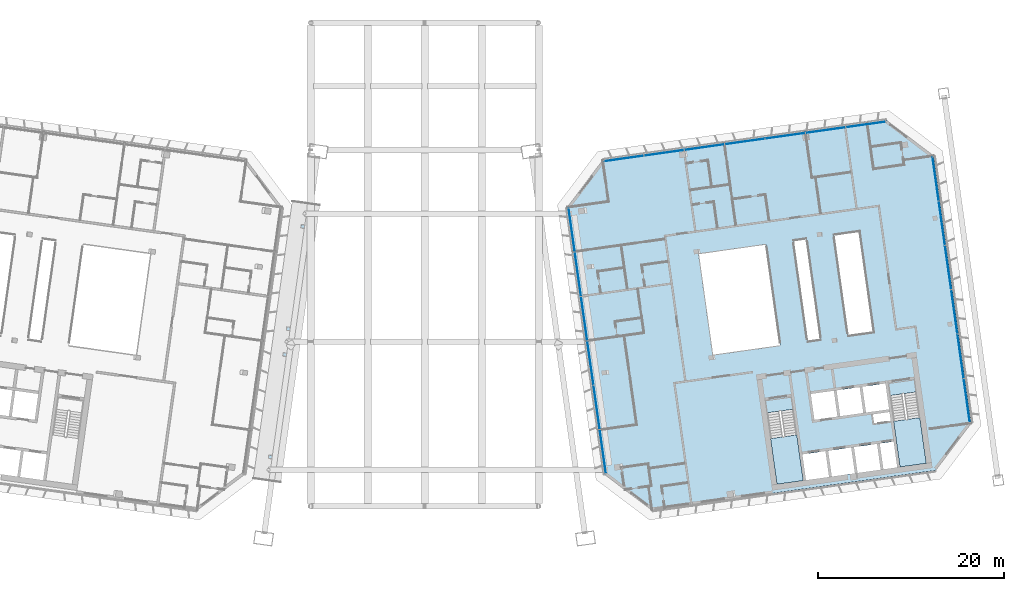
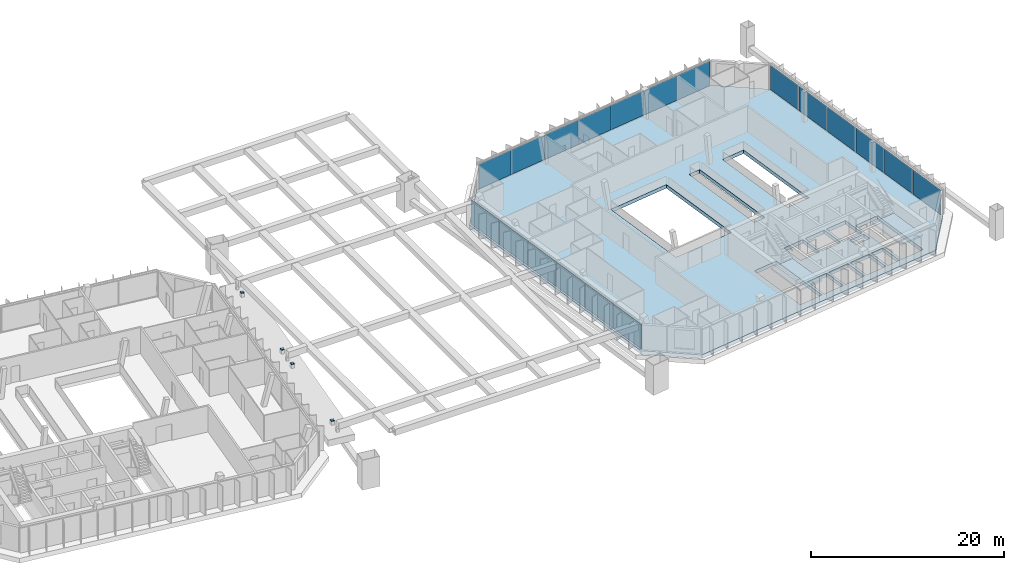
# One storey, part 20 of 36: 23 plates, 3 slabs, 5 elements without a shape of their own.
"""IFC4 building model written with IfcOpenShell, lengths in metres."""

from ifc_helpers import new_model, si_unit, direction, frame, origin, origin_2d, place, context, subcontext, project, spatial, polyline, rectangle, outline, extrude, material, layer, layer_set, type_object, element, aggregate, save


model = new_model("IFC4")

# Units and contexts
model_context = context("Model", 3, precision=1e-05, world=origin(), true_north=direction((0.0, 1.0)))
body_context = subcontext(model_context, "Body", "Model", "MODEL_VIEW")
ifc_project = project(units=[si_unit("LENGTHUNIT", "METRE"), si_unit("AREAUNIT", "SQUARE_METRE"), si_unit("VOLUMEUNIT", "CUBIC_METRE"), si_unit("PLANEANGLEUNIT", "RADIAN"), si_unit("MASSUNIT", "GRAM", prefix="KILO")], contexts=[model_context])

# Site, building, storey
site_placement = place(None, origin())
site = spatial("IfcSite", under=ifc_project, at=site_placement, CompositionType="ELEMENT")
building_placement = place(site_placement, origin())
building = spatial("IfcBuilding", under=site, at=building_placement, Name="Mirante Cascada Hotel Towers", CompositionType="ELEMENT")
storey_placement = place(building_placement, frame((0.0, 0.0, 254.6)))
storey = spatial("IfcBuildingStorey", under=building, at=storey_placement, Name="L61", CompositionType="ELEMENT", Elevation=254.6)

# Curtain wall, plates
ifc_material_1 = material(Name="Aluminium mullion and transom frame with clear laminated glass", Category="aluminium")
curtain_wall_type_1 = type_object("IfcCurtainWallType", Name="Ribbon curtain wall ECW1", PredefinedType="NOTDEFINED", material=ifc_material_1)
curtain_wall_1_placement = place(storey_placement, origin())
curtain_wall_1 = element("IfcCurtainWall", 1, at=curtain_wall_1_placement, inside=storey, type_object=curtain_wall_type_1, Name="Front ribbon wall T2 L61", PredefinedType="NOTDEFINED")
ifc_material_2 = material(Name="Clear laminated glass", Category="glass")
ifc_layer_1 = layer(ifc_material_2, 0.036)
ifc_layer_set_1 = layer_set([ifc_layer_1], Name="ECW1 glass panel 36")
plate_type_1 = type_object("IfcPlateType", Name="ECW1 glass panel 36", PredefinedType="CURTAIN_PANEL", material=ifc_layer_set_1)
plate_1_placement = place(storey_placement, frame((47.4111, 19.4822, 0.1), z_axis=(0.0, 0.0, 1.0), x_axis=(-0.9902681, -0.1391731, 0.0)))
plate_1 = element("IfcPlate", 2, at=plate_1_placement, type_object=plate_type_1, Name="ECW1 panel 1", PredefinedType="CURTAIN_PANEL", context=body_context, shape_type="SweptSolid", body=[
    extrude(rectangle(XDim=4.283, YDim=0.036, at=origin_2d()), origin(), (0.0, 0.0, 1.0), 3.1),
])
plate_2_placement = place(storey_placement, frame((43.0893, 18.8748, 0.1), z_axis=(0.0, 0.0, 1.0), x_axis=(-0.9902681, -0.1391731, 0.0)))
plate_2 = element("IfcPlate", 3, at=plate_2_placement, type_object=plate_type_1, Name="ECW1 panel 2", PredefinedType="CURTAIN_PANEL", context=body_context, shape_type="SweptSolid", body=[
    extrude(rectangle(XDim=4.3155, YDim=0.036, at=origin_2d()), origin(), (0.0, 0.0, 1.0), 3.1),
])
plate_3_placement = place(storey_placement, frame((38.7514, 18.2652, 0.1), z_axis=(0.0, 0.0, 1.0), x_axis=(-0.9902681, -0.1391731, 0.0)))
plate_3 = element("IfcPlate", 4, at=plate_3_placement, type_object=plate_type_1, Name="ECW1 panel 3", PredefinedType="CURTAIN_PANEL", context=body_context, shape_type="SweptSolid", body=[
    extrude(rectangle(XDim=4.3155, YDim=0.036, at=origin_2d()), origin(), (0.0, 0.0, 1.0), 3.1),
])
plate_4_placement = place(storey_placement, frame((34.4135, 17.6555, 0.1), z_axis=(0.0, 0.0, 1.0), x_axis=(-0.9902681, -0.1391731, 0.0)))
plate_4 = element("IfcPlate", 5, at=plate_4_placement, type_object=plate_type_1, Name="ECW1 panel 4", PredefinedType="CURTAIN_PANEL", context=body_context, shape_type="SweptSolid", body=[
    extrude(rectangle(XDim=4.3155, YDim=0.036, at=origin_2d()), origin(), (0.0, 0.0, 1.0), 3.1),
])
plate_5_placement = place(storey_placement, frame((30.0756, 17.0459, 0.1), z_axis=(0.0, 0.0, 1.0), x_axis=(-0.9902681, -0.1391731, 0.0)))
plate_5 = element("IfcPlate", 6, at=plate_5_placement, type_object=plate_type_1, Name="ECW1 panel 5", PredefinedType="CURTAIN_PANEL", context=body_context, shape_type="SweptSolid", body=[
    extrude(rectangle(XDim=4.3155, YDim=0.036, at=origin_2d()), origin(), (0.0, 0.0, 1.0), 3.1),
])
plate_6_placement = place(storey_placement, frame((25.7377, 16.4362, 0.1), z_axis=(0.0, 0.0, 1.0), x_axis=(-0.9902681, -0.1391731, 0.0)))
plate_6 = element("IfcPlate", 7, at=plate_6_placement, type_object=plate_type_1, Name="ECW1 panel 6", PredefinedType="CURTAIN_PANEL", context=body_context, shape_type="SweptSolid", body=[
    extrude(rectangle(XDim=4.3155, YDim=0.036, at=origin_2d()), origin(), (0.0, 0.0, 1.0), 3.1),
])
plate_7_placement = place(storey_placement, frame((21.416, 15.8288, 0.1), z_axis=(0.0, 0.0, 1.0), x_axis=(-0.9902681, -0.1391731, 0.0)))
plate_7 = element("IfcPlate", 8, at=plate_7_placement, type_object=plate_type_1, Name="ECW1 panel 7", PredefinedType="CURTAIN_PANEL", context=body_context, shape_type="SweptSolid", body=[
    extrude(rectangle(XDim=4.283, YDim=0.036, at=origin_2d()), origin(), (0.0, 0.0, 1.0), 3.1),
])
aggregate(curtain_wall_1, [plate_1, plate_2, plate_3, plate_4, plate_5, plate_6, plate_7])

ifc_material_3 = material(Name="Aluminium mullion and transom frame with clear laminated glass", Category="aluminium")
curtain_wall_type_2 = type_object("IfcCurtainWallType", Name="End ribbon curtain wall ECW2", PredefinedType="NOTDEFINED", material=ifc_material_3)
curtain_wall_2_placement = place(storey_placement, origin())
curtain_wall_2 = element("IfcCurtainWall", 9, at=curtain_wall_2_placement, inside=storey, type_object=curtain_wall_type_2, Name="Inner end wall T2 L61", PredefinedType="NOTDEFINED")
ifc_material_4 = material(Name="Clear laminated glass", Category="glass")
ifc_layer_2 = layer(ifc_material_4, 0.034)
ifc_layer_set_2 = layer_set([ifc_layer_2], Name="ECW2 glass panel 34")
plate_type_2 = type_object("IfcPlateType", Name="ECW2 glass panel 34", PredefinedType="CURTAIN_PANEL", material=ifc_layer_set_2)
plate_8_placement = place(storey_placement, frame((16.4805, 3.3898, 0.1), z_axis=(0.0, 0.0, 1.0), x_axis=(0.1391731, -0.9902681, 0.0)))
plate_8 = element("IfcPlate", 10, at=plate_8_placement, type_object=plate_type_2, Name="ECW2 panel 2", PredefinedType="CURTAIN_PANEL", context=body_context, shape_type="SweptSolid", body=[
    extrude(rectangle(XDim=4.7476, YDim=0.034, at=origin_2d()), origin(), (0.0, 0.0, 1.0), 3.1),
])
plate_9_placement = place(storey_placement, frame((18.4898, -10.9075, 0.1), z_axis=(0.0, 0.0, 1.0), x_axis=(0.1391731, -0.9902681, 0.0)))
plate_9 = element("IfcPlate", 11, at=plate_9_placement, type_object=plate_type_2, Name="ECW2 panel 5", PredefinedType="CURTAIN_PANEL", context=body_context, shape_type="SweptSolid", body=[
    extrude(rectangle(XDim=4.7476, YDim=0.034, at=origin_2d()), origin(), (0.0, 0.0, 1.0), 3.1),
])

curtain_wall_3_placement = place(storey_placement, origin())
curtain_wall_3 = element("IfcCurtainWall", 12, at=curtain_wall_3_placement, inside=storey, type_object=curtain_wall_type_2, Name="Outer end wall T2 L61", PredefinedType="NOTDEFINED")
plate_10_placement = place(storey_placement, frame((58.2609, -10.1616, 0.1), z_axis=(0.0, 0.0, 1.0), x_axis=(-0.1391731, 0.9902681, 0.0)))
plate_10 = element("IfcPlate", 13, at=plate_10_placement, type_object=plate_type_2, Name="ECW2 panel 1", PredefinedType="CURTAIN_PANEL", context=body_context, shape_type="SweptSolid", body=[
    extrude(rectangle(XDim=4.7151, YDim=0.034, at=origin_2d()), origin(), (0.0, 0.0, 1.0), 3.1),
])
plate_11_placement = place(storey_placement, frame((57.5934, -5.4119, 0.1), z_axis=(0.0, 0.0, 1.0), x_axis=(-0.1391731, 0.9902681, 0.0)))
plate_11 = element("IfcPlate", 14, at=plate_11_placement, type_object=plate_type_2, Name="ECW2 panel 2", PredefinedType="CURTAIN_PANEL", context=body_context, shape_type="SweptSolid", body=[
    extrude(rectangle(XDim=4.7476, YDim=0.034, at=origin_2d()), origin(), (0.0, 0.0, 1.0), 3.1),
])
plate_12_placement = place(storey_placement, frame((56.9236, -0.6461, 0.1), z_axis=(0.0, 0.0, 1.0), x_axis=(-0.1391731, 0.9902681, 0.0)))
plate_12 = element("IfcPlate", 15, at=plate_12_placement, type_object=plate_type_2, Name="ECW2 panel 3", PredefinedType="CURTAIN_PANEL", context=body_context, shape_type="SweptSolid", body=[
    extrude(rectangle(XDim=4.7476, YDim=0.034, at=origin_2d()), origin(), (0.0, 0.0, 1.0), 3.1),
])
plate_13_placement = place(storey_placement, frame((56.2538, 4.1197, 0.1), z_axis=(0.0, 0.0, 1.0), x_axis=(-0.1391731, 0.9902681, 0.0)))
plate_13 = element("IfcPlate", 16, at=plate_13_placement, type_object=plate_type_2, Name="ECW2 panel 4", PredefinedType="CURTAIN_PANEL", context=body_context, shape_type="SweptSolid", body=[
    extrude(rectangle(XDim=4.7476, YDim=0.034, at=origin_2d()), origin(), (0.0, 0.0, 1.0), 3.1),
])
plate_14_placement = place(storey_placement, frame((55.584, 8.8855, 0.1), z_axis=(0.0, 0.0, 1.0), x_axis=(-0.1391731, 0.9902681, 0.0)))
plate_14 = element("IfcPlate", 17, at=plate_14_placement, type_object=plate_type_2, Name="ECW2 panel 5", PredefinedType="CURTAIN_PANEL", context=body_context, shape_type="SweptSolid", body=[
    extrude(rectangle(XDim=4.7476, YDim=0.034, at=origin_2d()), origin(), (0.0, 0.0, 1.0), 3.1),
])
plate_15_placement = place(storey_placement, frame((54.9165, 13.6352, 0.1), z_axis=(0.0, 0.0, 1.0), x_axis=(-0.1391731, 0.9902681, 0.0)))
plate_15 = element("IfcPlate", 18, at=plate_15_placement, type_object=plate_type_2, Name="ECW2 panel 6", PredefinedType="CURTAIN_PANEL", context=body_context, shape_type="SweptSolid", body=[
    extrude(rectangle(XDim=4.7151, YDim=0.034, at=origin_2d()), origin(), (0.0, 0.0, 1.0), 3.1),
])
aggregate(curtain_wall_3, [plate_10, plate_11, plate_12, plate_13, plate_14, plate_15])

# Plate
ifc_material_5 = material(Name="Insulated aluminium spandrel panel", Category="aluminium")
ifc_layer_3 = layer(ifc_material_5, 0.034)
ifc_layer_set_3 = layer_set([ifc_layer_3], Name="ECW2 spandrel panel 34")
plate_type_3 = type_object("IfcPlateType", Name="ECW2 spandrel panel 34", PredefinedType="CURTAIN_PANEL", material=ifc_layer_set_3)
plate_16_placement = place(storey_placement, frame((15.8129, 8.1395, 0.1), z_axis=(0.0, 0.0, 1.0), x_axis=(0.1391731, -0.9902681, 0.0)))
plate_16 = element("IfcPlate", 19, at=plate_16_placement, type_object=plate_type_3, Name="ECW2 panel 1", PredefinedType="CURTAIN_PANEL", context=body_context, shape_type="SweptSolid", body=[
    extrude(rectangle(XDim=4.7151, YDim=0.034, at=origin_2d()), origin(), (0.0, 0.0, 1.0), 3.1),
])

plate_17_placement = place(storey_placement, frame((17.1502, -1.376, 0.1), z_axis=(0.0, 0.0, 1.0), x_axis=(0.1391731, -0.9902681, 0.0)))
plate_17 = element("IfcPlate", 20, at=plate_17_placement, type_object=plate_type_3, Name="ECW2 panel 3", PredefinedType="CURTAIN_PANEL", context=body_context, shape_type="SweptSolid", body=[
    extrude(rectangle(XDim=4.7476, YDim=0.034, at=origin_2d()), origin(), (0.0, 0.0, 1.0), 3.1),
])

plate_18_placement = place(storey_placement, frame((17.82, -6.1417, 0.1), z_axis=(0.0, 0.0, 1.0), x_axis=(0.1391731, -0.9902681, 0.0)))
plate_18 = element("IfcPlate", 21, at=plate_18_placement, type_object=plate_type_3, Name="ECW2 panel 4", PredefinedType="CURTAIN_PANEL", context=body_context, shape_type="SweptSolid", body=[
    extrude(rectangle(XDim=4.7476, YDim=0.034, at=origin_2d()), origin(), (0.0, 0.0, 1.0), 3.1),
])

plate_19_placement = place(storey_placement, frame((19.1573, -15.6572, 0.1), z_axis=(0.0, 0.0, 1.0), x_axis=(0.1391731, -0.9902681, 0.0)))
plate_19 = element("IfcPlate", 22, at=plate_19_placement, type_object=plate_type_3, Name="ECW2 panel 6", PredefinedType="CURTAIN_PANEL", context=body_context, shape_type="SweptSolid", body=[
    extrude(rectangle(XDim=4.7151, YDim=0.034, at=origin_2d()), origin(), (0.0, 0.0, 1.0), 3.1),
])

aggregate(curtain_wall_2, [plate_16, plate_8, plate_17, plate_18, plate_9, plate_19])

# Plates
ifc_material_6 = material(Name="Steel ASTM A572 Gr 50", Category="steel")
ifc_layer_4 = layer(ifc_material_6, 0.04)
ifc_layer_set_4 = layer_set([ifc_layer_4], Name="End plate 350x350x40 ASTM A572 Gr 50")
plate_type_4 = type_object("IfcPlateType", Name="End plate 350x350x40 ASTM A572 Gr 50", PredefinedType="SHEET", material=ifc_layer_set_4)
for number, where, z_axis, x_axis, name in (
    (23, (-16.5699, -16.2289, 2.6), (0.0, 0.0, 1.0), (-0.9902681, 0.1391731, 0.0), "End plate SP-STOP"),
    (24, (-15.0251, -5.2369, 2.6), (0.0, 0.0, 1.0), (-0.9902681, 0.1391731, 0.0), "End plate SP-STOP"),
    (25, (-14.6354, -2.4642, 2.6), (0.0, 0.0, 1.0), (-0.9902681, 0.1391731, 0.0), "End plate SP-STOP"),
    (26, (-13.0906, 8.5278, 2.6), (0.0, 0.0, 1.0), (-0.9902681, 0.1391731, 0.0), "End plate SP-STOP"),
):
    element("IfcPlate", number, at=place(storey_placement, frame(where, z_axis=z_axis, x_axis=x_axis)), inside=storey, type_object=plate_type_4, Name=name, PredefinedType="SHEET", context=body_context, shape_type="SweptSolid", body=[
        extrude(rectangle(XDim=0.35, YDim=0.35, at=origin_2d()), origin(), (0.0, 0.0, 1.0), 0.04),
    ])

# Stair, slab
ifc_material_7 = material(Name="Concrete C35/45", Category="concrete")
stair_type = type_object("IfcStairType", Name="Exit stair half-turn 1350 concrete C35/45", PredefinedType="HALF_TURN_STAIR", material=ifc_material_7)
stair_1_placement = place(storey_placement, origin())
stair_1 = element("IfcStair", 27, at=stair_1_placement, inside=storey, type_object=stair_type, Name="L61 Exit stair A", PredefinedType="HALF_TURN_STAIR")
ifc_material_8 = material(Name="Concrete C35/45", Category="concrete")
ifc_layer_5 = layer(ifc_material_8, 0.2)
ifc_layer_set_5 = layer_set([ifc_layer_5], Name="Exit stair landing 200 concrete C35/45")
slab_type_1 = type_object("IfcSlabType", Name="Exit stair landing 200 concrete C35/45", PredefinedType="LANDING", material=ifc_layer_set_5)
slab_1_placement = place(storey_placement, frame((0.0, 0.0, 1.7)))
slab_1 = element("IfcSlab", 28, at=slab_1_placement, type_object=slab_type_1, Name="ST2-A landing 1", PredefinedType="LANDING", context=body_context, shape_type="SweptSolid", body=[
    extrude(outline(polyline([(37.1765, -14.2626), (37.8665, -19.1723), (40.6887, -18.7757), (39.9987, -13.8659), (37.1765, -14.2626)])), origin(), (0.0, 0.0, 1.0), 0.2),
])
aggregate(stair_1, [slab_1])

stair_2_placement = place(storey_placement, origin())
stair_2 = element("IfcStair", 29, at=stair_2_placement, inside=storey, type_object=stair_type, Name="L61 Exit stair B", PredefinedType="HALF_TURN_STAIR")
slab_2_placement = place(storey_placement, frame((0.0, 0.0, 1.7)))
slab_2 = element("IfcSlab", 30, at=slab_2_placement, type_object=slab_type_1, Name="ST2-B landing 1", PredefinedType="LANDING", context=body_context, shape_type="SweptSolid", body=[
    extrude(outline(polyline([(50.3965, -12.4046), (51.0866, -17.3144), (53.9088, -16.9177), (53.2188, -12.008), (50.3965, -12.4046)])), origin(), (0.0, 0.0, 1.0), 0.2),
])
aggregate(stair_2, [slab_2])

# Slab
ifc_material_9 = material(Name="Concrete C40/50", Category="concrete")
ifc_layer_6 = layer(ifc_material_9, 0.45)
ifc_layer_set_6 = layer_set([ifc_layer_6], Name="Post-tensioned flat plate 450 Concrete C40/50")
slab_type_2 = type_object("IfcSlabType", Name="Post-tensioned flat plate 450 Concrete C40/50", PredefinedType="FLOOR", material=ifc_layer_set_6)
slab_3_placement = place(storey_placement, frame((0.0, 0.0, -0.45)))
element("IfcSlab", 31, at=slab_3_placement, inside=storey, type_object=slab_type_2, Name="Floor T2 L61", PredefinedType="FLOOR", context=body_context, shape_type="SweptSolid", body=[
    extrude(outline(polyline([(19.3546, -18.1386), (15.3186, 10.5792), (19.1485, 15.6616), (49.6367, 19.9465), (54.7192, 16.1166), (58.7552, -12.6012), (54.9253, -17.6837), (24.4371, -21.9685), (19.3546, -18.1386)]), holes=[polyline([(40.5961, -15.9612), (40.9858, -18.7339), (43.4615, -18.386), (43.0718, -15.6132), (40.5961, -15.9612)]), polyline([(43.3689, -15.5715), (43.7586, -18.3442), (46.2342, -17.9963), (45.8446, -15.2236), (43.3689, -15.5715)]), polyline([(40.6887, -18.7757), (39.611, -11.107), (36.7887, -11.5037), (37.8665, -19.1723), (40.6887, -18.7757)]), polyline([(43.9775, -9.124), (41.5018, -9.472), (41.8915, -12.2447), (44.3672, -11.8968), (43.9775, -9.124)]), polyline([(46.7503, -8.7344), (44.2746, -9.0823), (44.6643, -11.855), (47.1399, -11.5071), (46.7503, -8.7344)]), polyline([(30.9693, -5.2972), (29.4384, 5.5958), (36.6705, 6.6122), (38.2014, -4.2808), (30.9693, -5.2972)]), polyline([(41.1742, -3.863), (41.1742, -3.863), (39.6433, 7.03), (41.026, 7.2243), (42.5569, -3.6687), (42.5569, -3.6687), (41.1742, -3.863)]), polyline([(46.7671, 8.0312), (48.298, -2.8618), (45.5297, -3.2509), (45.5297, -3.2509), (43.9988, 7.6421), (46.7671, 8.0312)]), polyline([(48.6173, -14.8339), (46.1416, -15.1818), (46.5313, -17.9546), (49.007, -17.6066), (48.6173, -14.8339)]), polyline([(50.3998, -14.5834), (48.9144, -14.7921), (49.3041, -17.5649), (50.7895, -17.3561), (50.3998, -14.5834)]), polyline([(53.9088, -16.9177), (52.8311, -9.2491), (50.0088, -9.6457), (51.0866, -17.3144), (53.9088, -16.9177)]), polyline([(49.9544, -11.4145), (48.1472, -11.6685), (48.2829, -12.634), (50.0901, -12.38), (49.9544, -11.4145)]), polyline([(49.523, -8.3447), (47.0473, -8.6926), (47.437, -11.4654), (49.9127, -11.1174), (49.523, -8.3447)])]), origin(), (0.0, 0.0, 1.0), 0.45),
])

save(model, "model.ifc")
